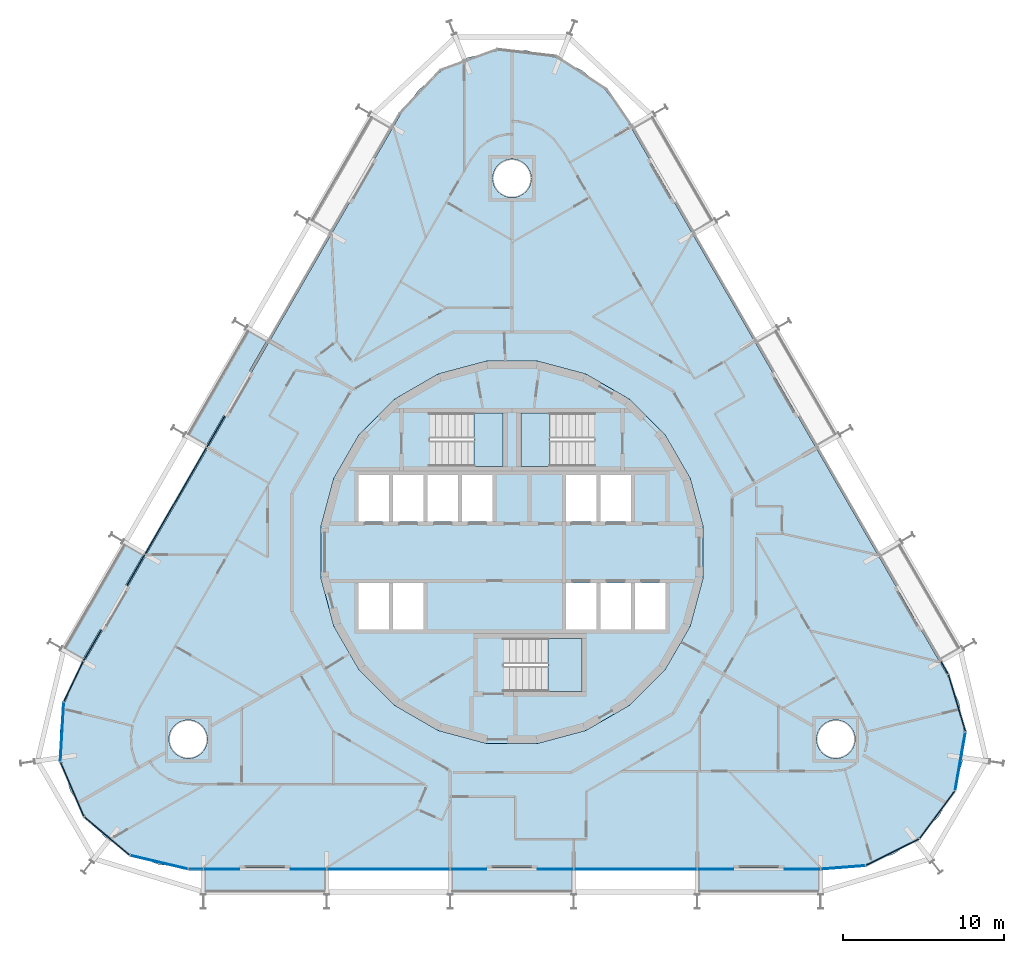
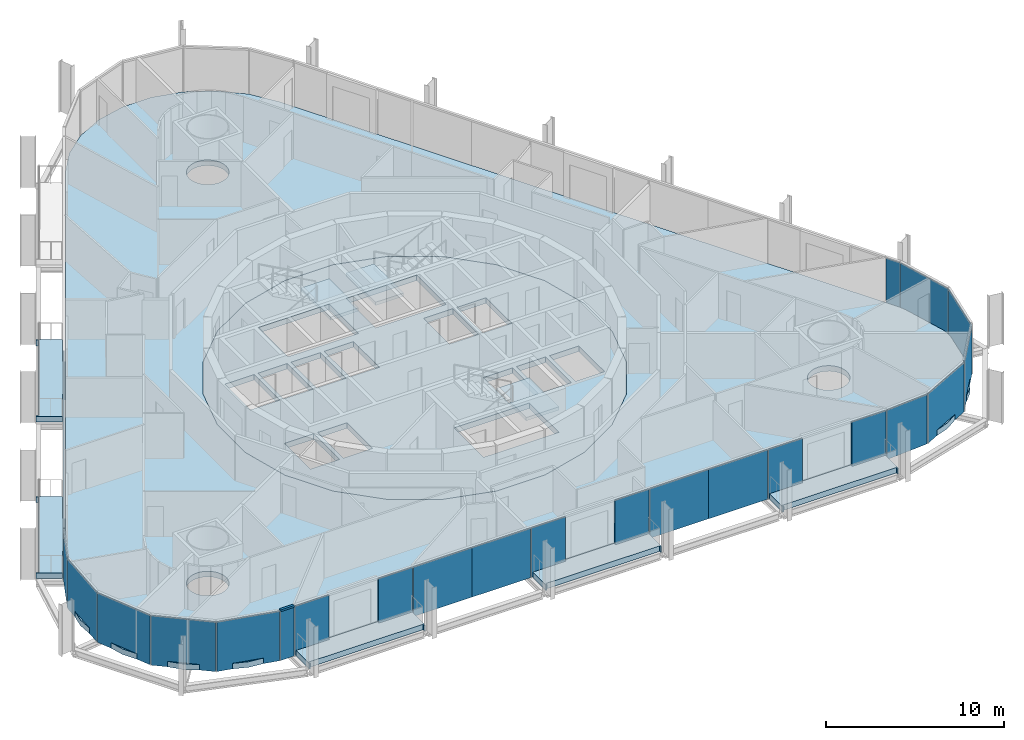
# One storey, part 11 of 21: 27 plates, 10 slabs, 1 member, 7 elements without a shape of their own.
"""IFC4 building model written with IfcOpenShell, lengths in metres."""

import ifcopenshell
import ifcopenshell.guid

model = None  # the IFC model being written
_history = None  # IfcOwnerHistory: only IFC2X3 demands one
_inside = {}  # id of a spatial element -> (the spatial element, [elements in it])
_under = {}  # id of a project, library or spatial element -> (it, [spatial elements below it])
_declared = {}  # id of a project -> (the project, [libraries it declares])
_typed = {}  # id of a type object -> (the type object, [elements of that type])
_made_of = {}  # id of a material, layer set ... -> (it, [elements and type objects made of it])


def new_model(schema):
    """Start an empty IFC model of exactly this schema.

    Asked for "IFC4X3", IfcOpenShell would pick the latest addendum, in which some entities
    have other attributes; the version numbers below select the first issue.
    IFC2X3 requires an IfcOwnerHistory on every rooted entity: one is made here for all.
    """
    global model, _history
    if schema == "IFC4X3":
        model = ifcopenshell.file(schema_version=(4, 3, 0, 0))
    else:
        model = ifcopenshell.file(schema=schema)
    _inside.clear()
    _under.clear()
    _declared.clear()
    _typed.clear()
    _made_of.clear()
    _history = None
    if model.schema == "IFC2X3":
        org = make("IfcOrganization", Name="unknown")
        user = make(
            "IfcPersonAndOrganization",
            ThePerson=make("IfcPerson", FamilyName="unknown"),
            TheOrganization=org,
        )
        app = make(
            "IfcApplication",
            ApplicationDeveloper=org,
            Version="unknown",
            ApplicationFullName="unknown",
            ApplicationIdentifier="unknown",
        )
        _history = make(
            "IfcOwnerHistory",
            OwningUser=user,
            OwningApplication=app,
            ChangeAction="ADDED",
            CreationDate=0,
        )
    return model


def make(cls, **values):
    """One entity of the class cls with the attributes given. An attribute that is None is left unset."""
    return model.create_entity(
        cls, **{name: value for name, value in values.items() if value is not None}
    )


def rooted(cls, **values):
    """An entity with a GlobalId (a new one), such as an element, a storey or a relation."""
    return make(cls, GlobalId=ifcopenshell.guid.new(), OwnerHistory=_history, **values)


def si_unit(unit_type, name, prefix=None):
    """IfcSIUnit, for example si_unit("LENGTHUNIT", "METRE", prefix="MILLI")."""
    return make("IfcSIUnit", UnitType=unit_type, Prefix=prefix, Name=name)


def assignment(units):
    """IfcUnitAssignment: the units of a project."""
    return None if units is None else make("IfcUnitAssignment", Units=units)


def point(xyz):
    """IfcCartesianPoint."""
    return None if xyz is None else make("IfcCartesianPoint", Coordinates=xyz)


def direction(xyz):
    """IfcDirection."""
    return None if xyz is None else make("IfcDirection", DirectionRatios=xyz)


def frame(location, z_axis=None, x_axis=None):
    """IfcAxis2Placement3D, a coordinate frame: its origin and axes. An axis left out is left unset."""
    return make(
        "IfcAxis2Placement3D",
        Location=point(location),
        Axis=direction(z_axis),
        RefDirection=direction(x_axis),
    )


def frame_2d(location, x_axis=None):
    """IfcAxis2Placement2D, a coordinate frame in the plane: its origin and x axis."""
    return make(
        "IfcAxis2Placement2D", Location=point(location), RefDirection=direction(x_axis)
    )


def origin():
    """The frame at (0, 0, 0) with its axes left unset."""
    return frame((0.0, 0.0, 0.0))


def origin_2d():
    """The frame at (0, 0) in the plane with its x axis left unset."""
    return frame_2d((0.0, 0.0))


def place(relative_to, where):
    """IfcLocalPlacement: puts the frame where relative to a parent placement (None: the world)."""
    return make(
        "IfcLocalPlacement", PlacementRelTo=relative_to, RelativePlacement=where
    )


def context(
    kind, dimensions, precision=None, world=None, true_north=None, identifier=None
):
    """IfcGeometricRepresentationContext, for example the 3D "Model" context."""
    return make(
        "IfcGeometricRepresentationContext",
        ContextIdentifier=identifier,
        ContextType=kind,
        CoordinateSpaceDimension=dimensions,
        Precision=precision,
        WorldCoordinateSystem=world,
        TrueNorth=true_north,
    )


def subcontext(parent, identifier, kind, view, scale=None):
    """IfcGeometricRepresentationSubContext, for example "Body" below "Model"."""
    return make(
        "IfcGeometricRepresentationSubContext",
        ContextIdentifier=identifier,
        ContextType=kind,
        ParentContext=parent,
        TargetScale=scale,
        TargetView=view,
    )


def project(units=None, contexts=None):
    """IfcProject with its units and contexts."""
    return rooted(
        "IfcProject",
        Name="project",
        RepresentationContexts=contexts,
        UnitsInContext=assignment(units),
    )


def spatial(cls, under=None, at=None, **own):
    """A site, building, storey or space (cls), placed at a placement, below another one or the project."""
    s = rooted(cls, ObjectPlacement=at, **own)
    if under is not None:
        _under.setdefault(under.id(), (under, []))[1].append(s)
    return s


def polyline(points):
    """IfcPolyline through the points."""
    return make("IfcPolyline", Points=[point(p) for p in points])


def profile(cls, at=None, kind="AREA", **sizes):
    """A parametric profile (cls). Its sizes go by their IFC names, for example OverallWidth=200.0."""
    return make(cls, ProfileType=kind, Position=at, **sizes)


def rectangle(**sizes):
    """IfcRectangleProfileDef."""
    return profile("IfcRectangleProfileDef", **sizes)


def outline(outer, holes=None, kind="AREA"):
    """IfcArbitraryClosedProfileDef: a profile drawn as a closed curve; with holes, ...WithVoids."""
    if holes is None:
        return make("IfcArbitraryClosedProfileDef", ProfileType=kind, OuterCurve=outer)
    return make(
        "IfcArbitraryProfileDefWithVoids",
        ProfileType=kind,
        OuterCurve=outer,
        InnerCurves=holes,
    )


def extrude(swept, where, along, depth):
    """IfcExtrudedAreaSolid: the profile swept, set in the frame where, extruded along a direction by depth."""
    return make(
        "IfcExtrudedAreaSolid",
        SweptArea=swept,
        Position=where,
        ExtrudedDirection=direction(along),
        Depth=depth,
    )


def shape(context_of_items, identifier, shape_type, items):
    """IfcShapeRepresentation: the items that make up one representation, for example the "Body"."""
    return make(
        "IfcShapeRepresentation",
        ContextOfItems=context_of_items,
        RepresentationIdentifier=identifier,
        RepresentationType=shape_type,
        Items=items,
    )


def material(Name=None, Category=None):
    """IfcMaterial."""
    return make("IfcMaterial", Name=Name, Category=Category)


def layer(
    of_material, thickness, ventilated=None, Name=None, Category=None, Priority=None
):
    """IfcMaterialLayer: one layer of a wall or slab, of a material (None: an air gap)."""
    return make(
        "IfcMaterialLayer",
        Material=of_material,
        LayerThickness=thickness,
        IsVentilated=ventilated,
        Name=Name,
        Category=Category,
        Priority=Priority,
    )


def layer_set(layers, Name=None):
    """IfcMaterialLayerSet."""
    return make("IfcMaterialLayerSet", MaterialLayers=layers, LayerSetName=Name)


def material_profile(
    of_material, cross_section, Name=None, Category=None, Priority=None
):
    """IfcMaterialProfile: a cross section and its material."""
    return make(
        "IfcMaterialProfile",
        Name=Name,
        Material=of_material,
        Profile=cross_section,
        Priority=Priority,
        Category=Category,
    )


def profile_set(profiles, Name=None, composite=None):
    """IfcMaterialProfileSet."""
    return make(
        "IfcMaterialProfileSet",
        Name=Name,
        MaterialProfiles=profiles,
        CompositeProfile=composite,
    )


def made_of(thing, what):
    """Note that an element or type object is made of a material, layer set ...; save() writes the relation."""
    if what is not None:
        _made_of.setdefault(what.id(), (what, []))[1].append(thing)
    return thing


def type_object(cls, material=None, **own):
    """A type object (cls), such as IfcWallType, which elements share."""
    return made_of(rooted(cls, **own), material)


def element(
    cls,
    number,
    at=None,
    inside=None,
    cuts=None,
    type_object=None,
    material=None,
    context=None,
    identifier="Body",
    shape_type=None,
    held_by="IfcProductDefinitionShape",
    body=None,
    shapes=None,
    **own,
):
    """One element of the class cls, such as IfcWall. Its Tag is "e" and its number.

    at: its placement. inside: the storey or other place that contains it. cuts: it is an
    opening in that element (IfcRelVoidsElement). A single representation is given by context,
    identifier, shape_type and body (its items); several are given by shapes. held_by: the class
    of the entity that holds the representations. save() writes the other relations.
    """
    e = rooted(cls, Tag="e%d" % number, ObjectPlacement=at, **own)
    if body is not None:
        shapes = [shape(context, identifier, shape_type, body)]
    if shapes is not None:
        e.Representation = make(held_by, Representations=shapes)
    if inside is not None:
        _inside.setdefault(inside.id(), (inside, []))[1].append(e)
    if cuts is not None:
        rooted(
            "IfcRelVoidsElement", RelatingBuildingElement=cuts, RelatedOpeningElement=e
        )
    if type_object is not None:
        _typed.setdefault(type_object.id(), (type_object, []))[1].append(e)
    return made_of(e, material)


def aggregate(whole, parts):
    """IfcRelAggregates: a whole, such as a stair, and the parts it consists of."""
    return rooted("IfcRelAggregates", RelatingObject=whole, RelatedObjects=parts)


def save(model, path):
    """Write the relations noted so far, then the file.

    IfcRelAggregates (storeys below a building ...), IfcRelContainedInSpatialStructure (elements
    in a storey), IfcRelDefinesByType, IfcRelAssociatesMaterial and IfcRelDeclares: one each for
    every whole, place, type object, material and project.
    """
    for whole, parts in _under.values():
        aggregate(whole, parts)
    for where, things in _inside.values():
        rooted(
            "IfcRelContainedInSpatialStructure",
            RelatedElements=things,
            RelatingStructure=where,
        )
    for kind, things in _typed.values():
        rooted("IfcRelDefinesByType", RelatedObjects=things, RelatingType=kind)
    for what, things in _made_of.values():
        rooted("IfcRelAssociatesMaterial", RelatedObjects=things, RelatingMaterial=what)
    for by, libraries in _declared.values():
        rooted("IfcRelDeclares", RelatingContext=by, RelatedDefinitions=libraries)
    model.write(path)


model = new_model("IFC4")

# Units and contexts
model_context = context("Model", 3, precision=1e-05, world=origin(), true_north=direction((0.0, 1.0)))
body_context = subcontext(model_context, "Body", "Model", "MODEL_VIEW")
ifc_project = project(units=[si_unit("LENGTHUNIT", "METRE"), si_unit("AREAUNIT", "SQUARE_METRE"), si_unit("VOLUMEUNIT", "CUBIC_METRE"), si_unit("PLANEANGLEUNIT", "RADIAN"), si_unit("MASSUNIT", "GRAM", prefix="KILO")], contexts=[model_context])

# Site, building, storey
site_placement = place(None, origin())
site = spatial("IfcSite", under=ifc_project, at=site_placement, CompositionType="ELEMENT")
building_placement = place(site_placement, origin())
building = spatial("IfcBuilding", under=site, at=building_placement, Name="Spindle Arch Residences", CompositionType="ELEMENT")
storey_placement = place(building_placement, frame((0.0, 0.0, 55.89990234375)))
storey = spatial("IfcBuildingStorey", under=building, at=storey_placement, Name="L12", CompositionType="ELEMENT", Elevation=55.89990234375)

# Curtain wall, member
ifc_material_1 = material(Name="Aluminium bronze unitised frame with tinted glass", Category="aluminium")
ifc_layer_1 = layer(ifc_material_1, 0.159912109375)
ifc_layer_set_1 = layer_set([ifc_layer_1], Name="CW-D corner wall on the fillet arcs")
curtain_wall_type_1 = type_object("IfcCurtainWallType", Name="CW-D corner wall on the fillet arcs", PredefinedType="NOTDEFINED", material=ifc_layer_set_1)
curtain_wall_1_placement = place(storey_placement, origin())
curtain_wall_1 = element("IfcCurtainWall", 1, at=curtain_wall_1_placement, inside=storey, type_object=curtain_wall_type_1, Name="CW-D L12 run 5", PredefinedType="NOTDEFINED")
ifc_material_2 = material(Name="Aluminium bronze anodised transom", Category="aluminium")
ifc_material_profile = material_profile(ifc_material_2, rectangle(XDim=0.159912109375, YDim=0.1201171875, at=origin_2d()), Name="TR 120x160")
ifc_profile_set = profile_set([ifc_material_profile], Name="Aluminium bronze anodised transom")
member_type = type_object("IfcMemberType", Name="Bronze transom 120x160", PredefinedType="USERDEFINED", material=ifc_profile_set)
member_placement = place(storey_placement, frame((-20.113525390625, -19.7099609375, 3.06005859375), z_axis=(1.0, 0.0, 0.0), x_axis=(0.0, 1.0, 0.0)))
member = element("IfcMember", 2, at=member_placement, type_object=member_type, Name="CW-D transom 05", ObjectType="TRANSOM", PredefinedType="USERDEFINED", context=body_context, shape_type="SweptSolid", body=[
    extrude(rectangle(XDim=0.159912109375, YDim=0.1201171875, at=origin_2d()), origin(), (0.0, 0.0, 1.0), 0.88330078125),
])

# Slabs
ifc_material_3 = material(Name="Concrete C40/50", Category="concrete")
ifc_layer_2 = layer(ifc_material_3, 0.3798828125)
ifc_layer_set_2 = layer_set([ifc_layer_2], Name="Balcony slab 380")
slab_type_1 = type_object("IfcSlabType", Name="Balcony slab 380", PredefinedType="FLOOR", material=ifc_layer_set_2)
slab_1_placement = place(storey_placement, frame((0.0, 0.0, -0.3798828125)))
element("IfcSlab", 3, at=slab_1_placement, inside=storey, type_object=slab_type_1, Name="Balcony L12 bay 2", PredefinedType="FLOOR", context=body_context, shape_type="SweptSolid", body=[
    extrude(outline(polyline([(11.59521484375, -21.280029296875), (11.670166015625, -21.280029296875), (11.670166015625, -21.1298828125), (19.05029296875, -21.1298828125), (19.05029296875, -21.280029296875), (19.125244140625, -21.280029296875), (19.125244140625, -19.789794921875), (16.960205078125, -19.789794921875), (16.960205078125, -19.6298828125), (13.76025390625, -19.6298828125), (13.76025390625, -19.789794921875), (11.59521484375, -19.789794921875), (11.59521484375, -21.280029296875)])), origin(), (0.0, 0.0, 1.0), 0.3798828125),
])
slab_2_placement = place(storey_placement, frame((0.0, 0.0, -0.3798828125)))
element("IfcSlab", 4, at=slab_2_placement, inside=storey, type_object=slab_type_1, Name="Balcony L12 bay 16", PredefinedType="FLOOR", context=body_context, shape_type="SweptSolid", body=[
    extrude(outline(polyline([(-16.54638671875, 13.900634765625), (-16.583984375, 13.835693359375), (-16.4541015625, 13.760498046875), (-20.14404296875, 7.369384765625), (-20.27392578125, 7.4443359375), (-20.3115234375, 7.37939453125), (-19.02099609375, 6.63427734375), (-17.9384765625, 8.50927734375), (-17.800048828125, 8.42919921875), (-16.199951171875, 11.20068359375), (-16.338623046875, 11.280517578125), (-15.256103515625, 13.155517578125), (-16.54638671875, 13.900634765625)])), origin(), (0.0, 0.0, 1.0), 0.3798828125),
])
slab_3_placement = place(storey_placement, frame((0.0, 0.0, -0.3798828125)))
element("IfcSlab", 5, at=slab_3_placement, inside=storey, type_object=slab_type_1, Name="Balcony L12 bay 18", PredefinedType="FLOOR", context=body_context, shape_type="SweptSolid", body=[
    extrude(outline(polyline([(-24.2265625, 0.598388671875), (-24.263916015625, 0.533447265625), (-24.134033203125, 0.458251953125), (-27.82421875, -5.93310546875), (-27.9541015625, -5.85791015625), (-27.991455078125, -5.9228515625), (-26.701171875, -6.66796875), (-25.61865234375, -4.79296875), (-25.47998046875, -4.873046875), (-23.880126953125, -2.1015625), (-24.0185546875, -2.021728515625), (-22.93603515625, -0.146728515625), (-24.2265625, 0.598388671875)])), origin(), (0.0, 0.0, 1.0), 0.3798828125),
])
slab_4_placement = place(storey_placement, frame((0.0, 0.0, -0.3798828125)))
element("IfcSlab", 6, at=slab_4_placement, inside=storey, type_object=slab_type_1, Name="Balcony L12 bay 22", PredefinedType="FLOOR", context=body_context, shape_type="SweptSolid", body=[
    extrude(outline(polyline([(-19.125244140625, -21.280029296875), (-19.05029296875, -21.280029296875), (-19.05029296875, -21.1298828125), (-11.670166015625, -21.1298828125), (-11.670166015625, -21.280029296875), (-11.59521484375, -21.280029296875), (-11.59521484375, -19.789794921875), (-13.76025390625, -19.789794921875), (-13.76025390625, -19.6298828125), (-16.960205078125, -19.6298828125), (-16.960205078125, -19.789794921875), (-19.125244140625, -19.789794921875), (-19.125244140625, -21.280029296875)])), origin(), (0.0, 0.0, 1.0), 0.3798828125),
])
slab_5_placement = place(storey_placement, frame((0.0, 0.0, -0.3798828125)))
element("IfcSlab", 7, at=slab_5_placement, inside=storey, type_object=slab_type_1, Name="Balcony L12 bay 24", PredefinedType="FLOOR", context=body_context, shape_type="SweptSolid", body=[
    extrude(outline(polyline([(-3.76513671875, -21.280029296875), (-3.68994140625, -21.280029296875), (-3.68994140625, -21.1298828125), (3.68994140625, -21.1298828125), (3.68994140625, -21.280029296875), (3.76513671875, -21.280029296875), (3.76513671875, -19.789794921875), (1.60009765625, -19.789794921875), (1.60009765625, -19.6298828125), (-1.60009765625, -19.6298828125), (-1.60009765625, -19.789794921875), (-3.76513671875, -19.789794921875), (-3.76513671875, -21.280029296875)])), origin(), (0.0, 0.0, 1.0), 0.3798828125),
])
ifc_material_4 = material(Name="Concrete C50/60", Category="concrete")
ifc_layer_3 = layer(ifc_material_4, 0.3798828125)
ifc_layer_set_3 = layer_set([ifc_layer_3], Name="Core floor slab 380")
slab_type_2 = type_object("IfcSlabType", Name="Core floor slab 380", PredefinedType="FLOOR", material=ifc_layer_set_3)
slab_6_placement = place(storey_placement, frame((0.0, 0.0, -0.3798828125)))
element("IfcSlab", 8, at=slab_6_placement, inside=storey, type_object=slab_type_2, Name="Core floor L12", PredefinedType="FLOOR", context=body_context, shape_type="SweptSolid", body=[
    extrude(outline(polyline([(1.56640625, -11.897216796875), (4.59228515625, -11.086669921875), (7.30517578125, -9.520263671875), (9.520263671875, -7.30517578125), (11.086669921875, -4.59228515625), (11.897216796875, -1.56640625), (11.897216796875, 1.56640625), (11.086669921875, 4.59228515625), (9.520263671875, 7.30517578125), (7.30517578125, 9.520263671875), (4.59228515625, 11.086669921875), (1.56640625, 11.897216796875), (-1.56640625, 11.897216796875), (-4.59228515625, 11.086669921875), (-7.30517578125, 9.520263671875), (-9.520263671875, 7.30517578125), (-11.086669921875, 4.59228515625), (-11.897216796875, 1.56640625), (-11.897216796875, -1.56640625), (-11.086669921875, -4.59228515625), (-9.520263671875, -7.30517578125), (-7.30517578125, -9.520263671875), (-4.59228515625, -11.086669921875), (-1.56640625, -11.897216796875), (1.56640625, -11.897216796875)]), holes=[polyline([(-9.550048828125, 1.89990234375), (-7.64990234375, 1.89990234375), (-7.64990234375, 4.800048828125), (-9.550048828125, 4.800048828125), (-9.550048828125, 1.89990234375)]), polyline([(-7.39990234375, 1.89990234375), (-5.5, 1.89990234375), (-5.5, 4.800048828125), (-7.39990234375, 4.800048828125), (-7.39990234375, 1.89990234375)]), polyline([(-5.25, 1.89990234375), (-3.35009765625, 1.89990234375), (-3.35009765625, 4.800048828125), (-5.25, 4.800048828125), (-5.25, 1.89990234375)]), polyline([(-3.10009765625, 1.89990234375), (-1.199951171875, 1.89990234375), (-1.199951171875, 4.800048828125), (-3.10009765625, 4.800048828125), (-3.10009765625, 1.89990234375)]), polyline([(3.35009765625, 1.89990234375), (5.25, 1.89990234375), (5.25, 4.800048828125), (3.35009765625, 4.800048828125), (3.35009765625, 1.89990234375)]), polyline([(5.5, 1.89990234375), (7.39990234375, 1.89990234375), (7.39990234375, 4.800048828125), (5.5, 4.800048828125), (5.5, 1.89990234375)]), polyline([(-9.550048828125, -4.800048828125), (-7.64990234375, -4.800048828125), (-7.64990234375, -1.89990234375), (-9.550048828125, -1.89990234375), (-9.550048828125, -4.800048828125)]), polyline([(-7.39990234375, -4.800048828125), (-5.5, -4.800048828125), (-5.5, -1.89990234375), (-7.39990234375, -1.89990234375), (-7.39990234375, -4.800048828125)]), polyline([(3.35009765625, -4.800048828125), (5.25, -4.800048828125), (5.25, -1.89990234375), (3.35009765625, -1.89990234375), (3.35009765625, -4.800048828125)]), polyline([(5.5, -4.800048828125), (7.39990234375, -4.800048828125), (7.39990234375, -1.89990234375), (5.5, -1.89990234375), (5.5, -4.800048828125)]), polyline([(7.64990234375, -4.800048828125), (9.550048828125, -4.800048828125), (9.550048828125, -1.89990234375), (7.64990234375, -1.89990234375), (7.64990234375, -4.800048828125)]), polyline([(5.1298828125, 8.669921875), (0.550048828125, 8.669921875), (0.550048828125, 5.35009765625), (5.1298828125, 5.35009765625), (5.1298828125, 8.669921875)]), polyline([(-5.1298828125, 5.35009765625), (-0.550048828125, 5.35009765625), (-0.550048828125, 8.669921875), (-5.1298828125, 8.669921875), (-5.1298828125, 5.35009765625)]), polyline([(-0.530029296875, -8.669921875), (4.35009765625, -8.669921875), (4.35009765625, -5.35009765625), (-0.530029296875, -5.35009765625), (-0.530029296875, -8.669921875)])]), origin(), (0.0, 0.0, 1.0), 0.3798828125),
])

# Stair, slab
ifc_material_5 = material(Name="Concrete C50/60", Category="concrete")
stair_type = type_object("IfcStairType", Name="Exit stair 16 risers", PredefinedType="HALF_TURN_STAIR", material=ifc_material_5)
stair_1_placement = place(storey_placement, origin())
stair_1 = element("IfcStair", 9, at=stair_1_placement, inside=storey, type_object=stair_type, Name="L12 Exit stair ST1", PredefinedType="HALF_TURN_STAIR")
ifc_material_6 = material(Name="Concrete C50/60", Category="concrete")
ifc_layer_4 = layer(ifc_material_6, 0.219970703125)
ifc_layer_set_4 = layer_set([ifc_layer_4], Name="Exit stair landing 220")
slab_type_3 = type_object("IfcSlabType", Name="Exit stair landing 220", PredefinedType="LANDING", material=ifc_layer_set_4)
slab_7_placement = place(storey_placement, frame((0.0, 0.0, 1.530029296875)))
slab_7 = element("IfcSlab", 10, at=slab_7_placement, type_object=slab_type_3, Name="ST1 landing 1", PredefinedType="LANDING", context=body_context, shape_type="SweptSolid", body=[
    extrude(outline(polyline([(2.3701171875, 8.669921875), (0.550048828125, 8.669921875), (0.550048828125, 5.35009765625), (2.3701171875, 5.35009765625), (2.3701171875, 8.669921875)])), origin(), (0.0, 0.0, 1.0), 0.219970703125),
])
aggregate(stair_1, [slab_7])

stair_2_placement = place(storey_placement, origin())
stair_2 = element("IfcStair", 11, at=stair_2_placement, inside=storey, type_object=stair_type, Name="L12 Exit stair ST2", PredefinedType="HALF_TURN_STAIR")
slab_8_placement = place(storey_placement, frame((0.0, 0.0, 1.530029296875)))
slab_8 = element("IfcSlab", 12, at=slab_8_placement, type_object=slab_type_3, Name="ST2 landing 1", PredefinedType="LANDING", context=body_context, shape_type="SweptSolid", body=[
    extrude(outline(polyline([(-2.3701171875, 5.35009765625), (-0.550048828125, 5.35009765625), (-0.550048828125, 8.669921875), (-2.3701171875, 8.669921875), (-2.3701171875, 5.35009765625)])), origin(), (0.0, 0.0, 1.0), 0.219970703125),
])
aggregate(stair_2, [slab_8])

stair_3_placement = place(storey_placement, origin())
stair_3 = element("IfcStair", 13, at=stair_3_placement, inside=storey, type_object=stair_type, Name="L12 Exit stair ST3", PredefinedType="HALF_TURN_STAIR")
slab_9_placement = place(storey_placement, frame((0.0, 0.0, 1.530029296875)))
slab_9 = element("IfcSlab", 14, at=slab_9_placement, type_object=slab_type_3, Name="ST3 landing 1", PredefinedType="LANDING", context=body_context, shape_type="SweptSolid", body=[
    extrude(outline(polyline([(2.22998046875, -8.669921875), (4.35009765625, -8.669921875), (4.35009765625, -5.35009765625), (2.22998046875, -5.35009765625), (2.22998046875, -8.669921875)])), origin(), (0.0, 0.0, 1.0), 0.219970703125),
])
aggregate(stair_3, [slab_9])

# Slab
ifc_material_7 = material(Name="Concrete C40/50", Category="concrete")
ifc_layer_5 = layer(ifc_material_7, 0.3798828125)
ifc_layer_set_5 = layer_set([ifc_layer_5], Name="Floor slab 380")
slab_type_4 = type_object("IfcSlabType", Name="Floor slab 380", PredefinedType="FLOOR", material=ifc_layer_set_5)
slab_10_placement = place(storey_placement, frame((0.0, 0.0, -0.3798828125)))
element("IfcSlab", 15, at=slab_10_placement, inside=storey, type_object=slab_type_4, Name="Floor slab L12", PredefinedType="FLOOR", context=body_context, shape_type="SweptSolid", body=[
    extrude(outline(polyline([(-21.988525390625, -19.414306640625), (-23.73388671875, -18.779052734375), (-25.285888671875, -17.75830078125), (-26.560546875, -16.4072265625), (-27.4892578125, -14.798583984375), (-28.022216796875, -13.01904296875), (-28.130126953125, -11.164794921875), (-27.8076171875, -9.33544921875), (-27.07177734375, -7.6298828125), (-6.92822265625, 27.259765625), (-5.819091796875, 28.749755859375), (-4.39599609375, 29.943603515625), (-2.736083984375, 30.77734375), (-0.9287109375, 31.205810546875), (0.9287109375, 31.205810546875), (2.736083984375, 30.77734375), (4.39599609375, 29.943603515625), (5.819091796875, 28.749755859375), (6.92822265625, 27.259765625), (27.07177734375, -7.6298828125), (27.8076171875, -9.33544921875), (28.130126953125, -11.164794921875), (28.022216796875, -13.01904296875), (27.4892578125, -14.798583984375), (26.560546875, -16.4072265625), (25.285888671875, -17.75830078125), (23.73388671875, -18.779052734375), (21.988525390625, -19.414306640625), (20.1435546875, -19.6298828125), (0.0, -19.6298828125), (-20.1435546875, -19.6298828125), (-21.988525390625, -19.414306640625)]), holes=[polyline([(7.30517578125, -9.520263671875), (9.520263671875, -7.30517578125), (11.086669921875, -4.59228515625), (11.897216796875, -1.56640625), (11.897216796875, 1.56640625), (11.086669921875, 4.59228515625), (9.520263671875, 7.30517578125), (7.30517578125, 9.520263671875), (4.59228515625, 11.086669921875), (1.56640625, 11.897216796875), (-1.56640625, 11.897216796875), (-4.59228515625, 11.086669921875), (-7.30517578125, 9.520263671875), (-9.520263671875, 7.30517578125), (-11.086669921875, 4.59228515625), (-11.897216796875, 1.56640625), (-11.897216796875, -1.56640625), (-11.086669921875, -4.59228515625), (-9.520263671875, -7.30517578125), (-7.30517578125, -9.520263671875), (-4.59228515625, -11.086669921875), (-1.56640625, -11.897216796875), (1.56640625, -11.897216796875), (4.59228515625, -11.086669921875), (7.30517578125, -9.520263671875)]), polyline([(-19.295166015625, -12.478515625), (-19.145751953125, -12.296630859375), (-19.034912109375, -12.089111328125), (-18.966796875, -11.864013671875), (-18.943603515625, -11.6298828125), (-18.966796875, -11.395751953125), (-19.034912109375, -11.170654296875), (-19.145751953125, -10.963134765625), (-19.295166015625, -10.781494140625), (-19.476806640625, -10.632080078125), (-19.684326171875, -10.521240234375), (-19.909423828125, -10.452880859375), (-20.1435546875, -10.429931640625), (-20.377685546875, -10.452880859375), (-20.602783203125, -10.521240234375), (-20.810302734375, -10.632080078125), (-20.9921875, -10.781494140625), (-21.141357421875, -10.963134765625), (-21.252197265625, -11.170654296875), (-21.320556640625, -11.395751953125), (-21.343505859375, -11.6298828125), (-21.320556640625, -11.864013671875), (-21.252197265625, -12.089111328125), (-21.141357421875, -12.296630859375), (-20.9921875, -12.478515625), (-20.810302734375, -12.627685546875), (-20.602783203125, -12.738525390625), (-20.377685546875, -12.806884765625), (-20.1435546875, -12.829833984375), (-19.909423828125, -12.806884765625), (-19.684326171875, -12.738525390625), (-19.476806640625, -12.627685546875), (-19.295166015625, -12.478515625)]), polyline([(0.848388671875, 22.411376953125), (0.997802734375, 22.593017578125), (1.108642578125, 22.800537109375), (1.177001953125, 23.025634765625), (1.199951171875, 23.259765625), (1.177001953125, 23.493896484375), (1.108642578125, 23.718994140625), (0.997802734375, 23.926513671875), (0.848388671875, 24.1083984375), (0.666748046875, 24.257568359375), (0.459228515625, 24.368408203125), (0.234130859375, 24.436767578125), (0.0, 24.459716796875), (-0.234130859375, 24.436767578125), (-0.459228515625, 24.368408203125), (-0.666748046875, 24.257568359375), (-0.848388671875, 24.1083984375), (-0.997802734375, 23.926513671875), (-1.108642578125, 23.718994140625), (-1.177001953125, 23.493896484375), (-1.199951171875, 23.259765625), (-1.177001953125, 23.025634765625), (-1.108642578125, 22.800537109375), (-0.997802734375, 22.593017578125), (-0.848388671875, 22.411376953125), (-0.666748046875, 22.261962890625), (-0.459228515625, 22.151123046875), (-0.234130859375, 22.0830078125), (0.0, 22.059814453125), (0.234130859375, 22.0830078125), (0.459228515625, 22.151123046875), (0.666748046875, 22.261962890625), (0.848388671875, 22.411376953125)]), polyline([(20.9921875, -12.478515625), (21.141357421875, -12.296630859375), (21.252197265625, -12.089111328125), (21.320556640625, -11.864013671875), (21.343505859375, -11.6298828125), (21.320556640625, -11.395751953125), (21.252197265625, -11.170654296875), (21.141357421875, -10.963134765625), (20.9921875, -10.781494140625), (20.810302734375, -10.632080078125), (20.602783203125, -10.521240234375), (20.377685546875, -10.452880859375), (20.1435546875, -10.429931640625), (19.909423828125, -10.452880859375), (19.684326171875, -10.521240234375), (19.476806640625, -10.632080078125), (19.295166015625, -10.781494140625), (19.145751953125, -10.963134765625), (19.034912109375, -11.170654296875), (18.966796875, -11.395751953125), (18.943603515625, -11.6298828125), (18.966796875, -11.864013671875), (19.034912109375, -12.089111328125), (19.145751953125, -12.296630859375), (19.295166015625, -12.478515625), (19.476806640625, -12.627685546875), (19.684326171875, -12.738525390625), (19.909423828125, -12.806884765625), (20.1435546875, -12.829833984375), (20.377685546875, -12.806884765625), (20.602783203125, -12.738525390625), (20.810302734375, -12.627685546875), (20.9921875, -12.478515625)])]), origin(), (0.0, 0.0, 1.0), 0.3798828125),
])

# Curtain wall, plates
curtain_wall_2_placement = place(storey_placement, origin())
curtain_wall_2 = element("IfcCurtainWall", 16, at=curtain_wall_2_placement, inside=storey, type_object=curtain_wall_type_1, Name="CW-D L12 run 1", PredefinedType="NOTDEFINED")
ifc_material_8 = material(Name="Tinted double glazing over aluminium faced non-combustible spandrel zone (K0)", Category="aluminium")
ifc_layer_6 = layer(ifc_material_8, 0.06005859375)
ifc_layer_set_6 = layer_set([ifc_layer_6], Name="Unitised glass panel with E 60 spandrel zone")
plate_type = type_object("IfcPlateType", Name="Unitised glass panel with E 60 spandrel zone", PredefinedType="CURTAIN_PANEL", material=ifc_layer_set_6)
plate_1_placement = place(storey_placement, frame((20.603515625, -19.60107421875, -0.3798828125), z_axis=(0.0, 0.0, 1.0), x_axis=(0.997002907861, 0.077364085451, 0.0)))
plate_1 = element("IfcPlate", 17, at=plate_1_placement, type_object=plate_type, Name="CW-D unit 00", PredefinedType="CURTAIN_PANEL", context=body_context, shape_type="SweptSolid", body=[
    extrude(rectangle(XDim=2.755126953125, YDim=0.06005859375, at=origin_2d()), origin(), (0.0, 0.0, 1.0), 3.3798828125),
])
plate_2_placement = place(storey_placement, frame((23.672119140625, -18.65576171875, -0.3798828125), z_axis=(0.0, 0.0, 1.0), x_axis=(0.893632642326, 0.448799176213, 0.0)))
plate_2 = element("IfcPlate", 18, at=plate_2_placement, type_object=plate_type, Name="CW-D unit 01", PredefinedType="CURTAIN_PANEL", context=body_context, shape_type="SweptSolid", body=[
    extrude(rectangle(XDim=3.666748046875, YDim=0.06005859375, at=origin_2d()), origin(), (0.0, 0.0, 1.0), 3.3798828125),
])
plate_3_placement = place(storey_placement, frame((26.449951171875, -16.324951171875, -0.3798828125), z_axis=(0.0, 0.0, 1.0), x_axis=(0.597158595823, 0.802123189687, 0.0)))
plate_3 = element("IfcPlate", 19, at=plate_3_placement, type_object=plate_type, Name="CW-D unit 02", PredefinedType="CURTAIN_PANEL", context=body_context, shape_type="SweptSolid", body=[
    extrude(rectangle(XDim=3.666748046875, YDim=0.06005859375, at=origin_2d()), origin(), (0.0, 0.0, 1.0), 3.3798828125),
])
plate_4_placement = place(storey_placement, frame((27.88623046875, -12.9951171875, -0.3798828125), z_axis=(0.0, 0.0, 1.0), x_axis=(0.173648181019, 0.984807752421, 0.0)))
plate_4 = element("IfcPlate", 20, at=plate_4_placement, type_object=plate_type, Name="CW-D unit 03", PredefinedType="CURTAIN_PANEL", context=body_context, shape_type="SweptSolid", body=[
    extrude(rectangle(XDim=3.666748046875, YDim=0.06005859375, at=origin_2d()), origin(), (0.0, 0.0, 1.0), 3.3798828125),
])
plate_5_placement = place(storey_placement, frame((27.675537109375, -9.375, -0.3798828125), z_axis=(0.0, 0.0, 1.0), x_axis=(-0.28680323051, 0.957989512975, 0.0)))
plate_5 = element("IfcPlate", 21, at=plate_5_placement, type_object=plate_type, Name="CW-D unit 04", PredefinedType="CURTAIN_PANEL", context=body_context, shape_type="SweptSolid", body=[
    extrude(rectangle(XDim=3.666748046875, YDim=0.06005859375, at=origin_2d()), origin(), (0.0, 0.0, 1.0), 3.3798828125),
])
plate_6_placement = place(storey_placement, frame((26.9052734375, -7.181396484375, -0.3798828125), z_axis=(0.0, 0.0, 1.0), x_axis=(-0.5, 0.866025403784, 0.0)))
plate_6 = element("IfcPlate", 22, at=plate_6_placement, type_object=plate_type, Name="CW-D unit 05", PredefinedType="CURTAIN_PANEL", context=body_context, shape_type="SweptSolid", body=[
    extrude(rectangle(XDim=0.88330078125, YDim=0.06005859375, at=origin_2d()), origin(), (0.0, 0.0, 1.0), 3.3798828125),
])
aggregate(curtain_wall_2, [plate_1, plate_2, plate_3, plate_4, plate_5, plate_6])

ifc_material_9 = material(Name="Aluminium bronze unitised frame with tinted glass", Category="aluminium")
ifc_layer_7 = layer(ifc_material_9, 0.159912109375)
ifc_layer_set_7 = layer_set([ifc_layer_7], Name="CW-C typical residential unitised wall")
curtain_wall_type_2 = type_object("IfcCurtainWallType", Name="CW-C typical residential unitised wall", PredefinedType="NOTDEFINED", material=ifc_layer_set_7)
curtain_wall_3_placement = place(storey_placement, origin())
curtain_wall_3 = element("IfcCurtainWall", 23, at=curtain_wall_3_placement, inside=storey, type_object=curtain_wall_type_2, Name="CW-C L12 run 4", PredefinedType="NOTDEFINED")
plate_7_placement = place(storey_placement, frame((-18.421875, 7.512451171875, -0.3798828125), z_axis=(0.0, 0.0, 1.0), x_axis=(-0.5, -0.866025403784, 0.0)))
plate_7 = element("IfcPlate", 24, at=plate_7_placement, type_object=plate_type, Name="CW-C unit 15R", PredefinedType="CURTAIN_PANEL", context=body_context, shape_type="SweptSolid", body=[
    extrude(rectangle(XDim=2.2099609375, YDim=0.06005859375, at=origin_2d()), origin(), (0.0, 0.0, 1.0), 3.3798828125),
])
plate_8_placement = place(storey_placement, frame((-19.956787109375, 4.853515625, -0.3798828125), z_axis=(0.0, 0.0, 1.0), x_axis=(-0.5, -0.866025403784, 0.0)))
plate_8 = element("IfcPlate", 25, at=plate_8_placement, type_object=plate_type, Name="CW-C unit 16A", PredefinedType="CURTAIN_PANEL", context=body_context, shape_type="SweptSolid", body=[
    extrude(rectangle(XDim=3.81005859375, YDim=0.06005859375, at=origin_2d()), origin(), (0.0, 0.0, 1.0), 3.3798828125),
])
plate_9_placement = place(storey_placement, frame((-21.86181640625, 1.553955078125, -0.3798828125), z_axis=(0.0, 0.0, 1.0), x_axis=(-0.5, -0.866025403784, 0.0)))
plate_9 = element("IfcPlate", 26, at=plate_9_placement, type_object=plate_type, Name="CW-C unit 16B", PredefinedType="CURTAIN_PANEL", context=body_context, shape_type="SweptSolid", body=[
    extrude(rectangle(XDim=3.81005859375, YDim=0.06005859375, at=origin_2d()), origin(), (0.0, 0.0, 1.0), 3.3798828125),
])
plate_10_placement = place(storey_placement, frame((-23.396728515625, -1.104736328125, -0.3798828125), z_axis=(0.0, 0.0, 1.0), x_axis=(-0.5, -0.866025403784, 0.0)))
plate_10 = element("IfcPlate", 27, at=plate_10_placement, type_object=plate_type, Name="CW-C unit 17L", PredefinedType="CURTAIN_PANEL", context=body_context, shape_type="SweptSolid", body=[
    extrude(rectangle(XDim=2.2099609375, YDim=0.06005859375, at=origin_2d()), origin(), (0.0, 0.0, 1.0), 3.3798828125),
])
plate_11_placement = place(storey_placement, frame((-26.101806640625, -5.7900390625, -0.3798828125), z_axis=(0.0, 0.0, 1.0), x_axis=(-0.5, -0.866025403784, 0.0)))
plate_11 = element("IfcPlate", 28, at=plate_11_placement, type_object=plate_type, Name="CW-C unit 17R", PredefinedType="CURTAIN_PANEL", context=body_context, shape_type="SweptSolid", body=[
    extrude(rectangle(XDim=2.2099609375, YDim=0.06005859375, at=origin_2d()), origin(), (0.0, 0.0, 1.0), 3.3798828125),
])
aggregate(curtain_wall_3, [plate_7, plate_8, plate_9, plate_10, plate_11])

# Plate
plate_12_placement = place(storey_placement, frame((-27.27685546875, -8.042724609375, -0.3798828125), z_axis=(0.0, 0.0, 1.0), x_axis=(-0.431502189519, -0.902111889092, 0.0)))
plate_12 = element("IfcPlate", 29, at=plate_12_placement, type_object=plate_type, Name="CW-D unit 00", PredefinedType="CURTAIN_PANEL", context=body_context, shape_type="SweptSolid", body=[
    extrude(rectangle(XDim=2.755126953125, YDim=0.06005859375, at=origin_2d()), origin(), (0.0, 0.0, 1.0), 3.3798828125),
])

plate_13_placement = place(storey_placement, frame((-27.992431640625, -11.1728515625, -0.3798828125), z_axis=(0.0, 0.0, 1.0), x_axis=(-0.058144829968, -0.99830815821, 0.0)))
plate_13 = element("IfcPlate", 30, at=plate_13_placement, type_object=plate_type, Name="CW-D unit 01", PredefinedType="CURTAIN_PANEL", context=body_context, shape_type="SweptSolid", body=[
    extrude(rectangle(XDim=3.666748046875, YDim=0.06005859375, at=origin_2d()), origin(), (0.0, 0.0, 1.0), 3.3798828125),
])

plate_14_placement = place(storey_placement, frame((-27.36279296875, -14.743896484375, -0.3798828125), z_axis=(0.0, 0.0, 1.0), x_axis=(0.396079766691, -0.918216106599, 0.0)))
plate_14 = element("IfcPlate", 31, at=plate_14_placement, type_object=plate_type, Name="CW-D unit 02", PredefinedType="CURTAIN_PANEL", context=body_context, shape_type="SweptSolid", body=[
    extrude(rectangle(XDim=3.666748046875, YDim=0.06005859375, at=origin_2d()), origin(), (0.0, 0.0, 1.0), 3.3798828125),
])

plate_15_placement = place(storey_placement, frame((-25.197265625, -17.652587890625, -0.3798828125), z_axis=(0.0, 0.0, 1.0), x_axis=(0.766044445239, -0.64278760716, 0.0)))
plate_15 = element("IfcPlate", 32, at=plate_15_placement, type_object=plate_type, Name="CW-D unit 03", PredefinedType="CURTAIN_PANEL", context=body_context, shape_type="SweptSolid", body=[
    extrude(rectangle(XDim=3.666748046875, YDim=0.06005859375, at=origin_2d()), origin(), (0.0, 0.0, 1.0), 3.3798828125),
])

plate_16_placement = place(storey_placement, frame((-21.956787109375, -19.2802734375, -0.3798828125), z_axis=(0.0, 0.0, 1.0), x_axis=(0.973044871028, -0.230615868852, 0.0)))
plate_16 = element("IfcPlate", 33, at=plate_16_placement, type_object=plate_type, Name="CW-D unit 04", PredefinedType="CURTAIN_PANEL", context=body_context, shape_type="SweptSolid", body=[
    extrude(rectangle(XDim=3.666748046875, YDim=0.06005859375, at=origin_2d()), origin(), (0.0, 0.0, 1.0), 3.3798828125),
])

plate_17_placement = place(storey_placement, frame((-19.671875, -19.7099609375, -0.3798828125), z_axis=(0.0, 0.0, 1.0), x_axis=(1.0, 0.0, 0.0)))
plate_17 = element("IfcPlate", 34, at=plate_17_placement, type_object=plate_type, Name="CW-D unit 05", PredefinedType="CURTAIN_PANEL", context=body_context, shape_type="SweptSolid", body=[
    extrude(rectangle(XDim=0.88330078125, YDim=0.06005859375, at=origin_2d()), origin(), (0.0, 0.0, 1.0), 3.3798828125),
])

aggregate(curtain_wall_1, [plate_12, plate_13, plate_14, plate_15, plate_16, member, plate_17])

# Curtain wall, plates
curtain_wall_4_placement = place(storey_placement, origin())
curtain_wall_4 = element("IfcCurtainWall", 35, at=curtain_wall_4_placement, inside=storey, type_object=curtain_wall_type_2, Name="CW-C L12 run 6", PredefinedType="NOTDEFINED")
plate_18_placement = place(storey_placement, frame((-18.065185546875, -19.7099609375, -0.3798828125), z_axis=(0.0, 0.0, 1.0), x_axis=(1.0, 0.0, 0.0)))
plate_18 = element("IfcPlate", 36, at=plate_18_placement, type_object=plate_type, Name="CW-C unit 21L", PredefinedType="CURTAIN_PANEL", context=body_context, shape_type="SweptSolid", body=[
    extrude(rectangle(XDim=2.2099609375, YDim=0.06005859375, at=origin_2d()), origin(), (0.0, 0.0, 1.0), 3.3798828125),
])
plate_19_placement = place(storey_placement, frame((-12.655029296875, -19.7099609375, -0.3798828125), z_axis=(0.0, 0.0, 1.0), x_axis=(1.0, 0.0, 0.0)))
plate_19 = element("IfcPlate", 37, at=plate_19_placement, type_object=plate_type, Name="CW-C unit 21R", PredefinedType="CURTAIN_PANEL", context=body_context, shape_type="SweptSolid", body=[
    extrude(rectangle(XDim=2.2099609375, YDim=0.06005859375, at=origin_2d()), origin(), (0.0, 0.0, 1.0), 3.3798828125),
])
plate_20_placement = place(storey_placement, frame((-9.585205078125, -19.7099609375, -0.3798828125), z_axis=(0.0, 0.0, 1.0), x_axis=(1.0, 0.0, 0.0)))
plate_20 = element("IfcPlate", 38, at=plate_20_placement, type_object=plate_type, Name="CW-C unit 22A", PredefinedType="CURTAIN_PANEL", context=body_context, shape_type="SweptSolid", body=[
    extrude(rectangle(XDim=3.81005859375, YDim=0.06005859375, at=origin_2d()), origin(), (0.0, 0.0, 1.0), 3.3798828125),
])
plate_21_placement = place(storey_placement, frame((-5.775146484375, -19.7099609375, -0.3798828125), z_axis=(0.0, 0.0, 1.0), x_axis=(1.0, 0.0, 0.0)))
plate_21 = element("IfcPlate", 39, at=plate_21_placement, type_object=plate_type, Name="CW-C unit 22B", PredefinedType="CURTAIN_PANEL", context=body_context, shape_type="SweptSolid", body=[
    extrude(rectangle(XDim=3.81005859375, YDim=0.06005859375, at=origin_2d()), origin(), (0.0, 0.0, 1.0), 3.3798828125),
])
plate_22_placement = place(storey_placement, frame((-2.705078125, -19.7099609375, -0.3798828125), z_axis=(0.0, 0.0, 1.0), x_axis=(1.0, 0.0, 0.0)))
plate_22 = element("IfcPlate", 40, at=plate_22_placement, type_object=plate_type, Name="CW-C unit 23L", PredefinedType="CURTAIN_PANEL", context=body_context, shape_type="SweptSolid", body=[
    extrude(rectangle(XDim=2.2099609375, YDim=0.06005859375, at=origin_2d()), origin(), (0.0, 0.0, 1.0), 3.3798828125),
])
plate_23_placement = place(storey_placement, frame((2.705078125, -19.7099609375, -0.3798828125), z_axis=(0.0, 0.0, 1.0), x_axis=(1.0, 0.0, 0.0)))
plate_23 = element("IfcPlate", 41, at=plate_23_placement, type_object=plate_type, Name="CW-C unit 23R", PredefinedType="CURTAIN_PANEL", context=body_context, shape_type="SweptSolid", body=[
    extrude(rectangle(XDim=2.2099609375, YDim=0.06005859375, at=origin_2d()), origin(), (0.0, 0.0, 1.0), 3.3798828125),
])
plate_24_placement = place(storey_placement, frame((5.775146484375, -19.7099609375, -0.3798828125), z_axis=(0.0, 0.0, 1.0), x_axis=(1.0, 0.0, 0.0)))
plate_24 = element("IfcPlate", 42, at=plate_24_placement, type_object=plate_type, Name="CW-C unit 00A", PredefinedType="CURTAIN_PANEL", context=body_context, shape_type="SweptSolid", body=[
    extrude(rectangle(XDim=3.81005859375, YDim=0.06005859375, at=origin_2d()), origin(), (0.0, 0.0, 1.0), 3.3798828125),
])
plate_25_placement = place(storey_placement, frame((9.585205078125, -19.7099609375, -0.3798828125), z_axis=(0.0, 0.0, 1.0), x_axis=(1.0, 0.0, 0.0)))
plate_25 = element("IfcPlate", 43, at=plate_25_placement, type_object=plate_type, Name="CW-C unit 00B", PredefinedType="CURTAIN_PANEL", context=body_context, shape_type="SweptSolid", body=[
    extrude(rectangle(XDim=3.81005859375, YDim=0.06005859375, at=origin_2d()), origin(), (0.0, 0.0, 1.0), 3.3798828125),
])
plate_26_placement = place(storey_placement, frame((12.655029296875, -19.7099609375, -0.3798828125), z_axis=(0.0, 0.0, 1.0), x_axis=(1.0, 0.0, 0.0)))
plate_26 = element("IfcPlate", 44, at=plate_26_placement, type_object=plate_type, Name="CW-C unit 01L", PredefinedType="CURTAIN_PANEL", context=body_context, shape_type="SweptSolid", body=[
    extrude(rectangle(XDim=2.2099609375, YDim=0.06005859375, at=origin_2d()), origin(), (0.0, 0.0, 1.0), 3.3798828125),
])
plate_27_placement = place(storey_placement, frame((18.065185546875, -19.7099609375, -0.3798828125), z_axis=(0.0, 0.0, 1.0), x_axis=(1.0, 0.0, 0.0)))
plate_27 = element("IfcPlate", 45, at=plate_27_placement, type_object=plate_type, Name="CW-C unit 01R", PredefinedType="CURTAIN_PANEL", context=body_context, shape_type="SweptSolid", body=[
    extrude(rectangle(XDim=2.2099609375, YDim=0.06005859375, at=origin_2d()), origin(), (0.0, 0.0, 1.0), 3.3798828125),
])
aggregate(curtain_wall_4, [plate_18, plate_19, plate_20, plate_21, plate_22, plate_23, plate_24, plate_25, plate_26, plate_27])

save(model, "model.ifc")
